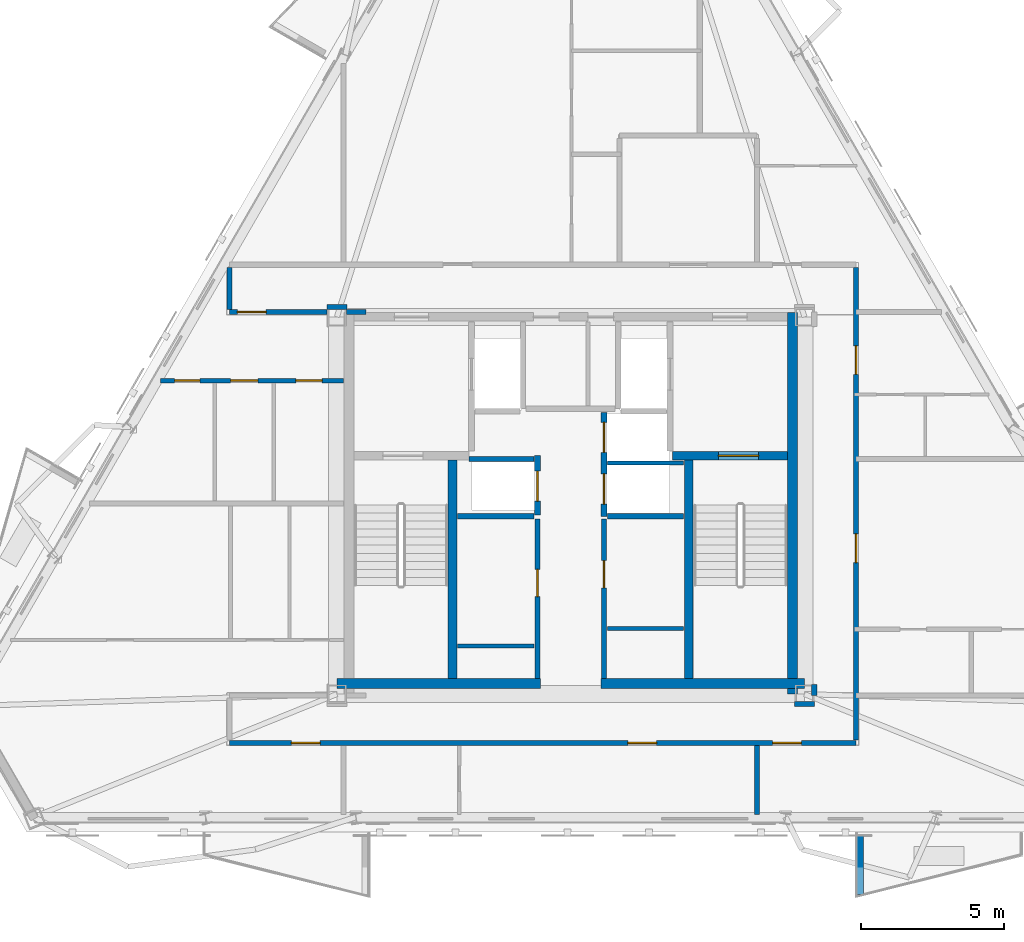
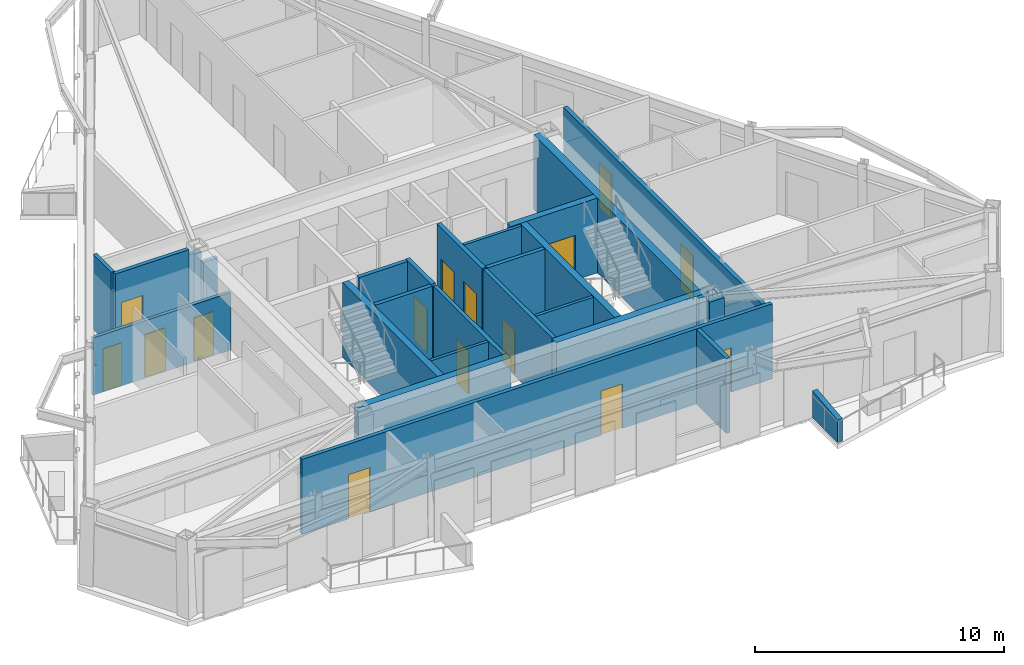
# One storey, part 3 of 9: 27 walls, 15 doors, 15 openings.
"""IFC4 building model written with IfcOpenShell, lengths in metres."""

from ifc_helpers import new_model, si_unit, direction, frame, frame_2d, origin, place, context, subcontext, project, spatial, polyline, rectangle, outline, extrude, material, layer, layer_set, type_object, element, fill, save


model = new_model("IFC4")

# Units and contexts
model_context = context("Model", 3, precision=1e-05, world=origin(), true_north=direction((0.0, 1.0)))
body_context = subcontext(model_context, "Body", "Model", "MODEL_VIEW")
ifc_project = project(units=[si_unit("LENGTHUNIT", "METRE"), si_unit("AREAUNIT", "SQUARE_METRE"), si_unit("VOLUMEUNIT", "CUBIC_METRE"), si_unit("PLANEANGLEUNIT", "RADIAN"), si_unit("MASSUNIT", "GRAM", prefix="KILO")], contexts=[model_context])

# Site, building, storey
site_placement = place(None, origin())
site = spatial("IfcSite", under=ifc_project, at=site_placement, CompositionType="ELEMENT")
building_placement = place(site_placement, origin())
building = spatial("IfcBuilding", under=site, at=building_placement, Name="Oramaril Tower", CompositionType="ELEMENT")
storey_placement = place(building_placement, frame((0.0, 0.0, 277.199951171875)))
storey = spatial("IfcBuildingStorey", under=building, at=storey_placement, Name="L73", CompositionType="ELEMENT", Elevation=277.199951171875)

# Walls
ifc_material_1 = material(Name="Concrete C40/50", Category="concrete")
ifc_layer_1 = layer(ifc_material_1, 0.22998046875)
ifc_layer_set_1 = layer_set([ifc_layer_1], Name="WT-PRP23")
wall_type_1 = type_object("IfcWallType", Name="WT-PRP23", PredefinedType="PARAPET", material=ifc_layer_set_1)
wall_1_placement = place(storey_placement, frame((47.59033203125, 6.05517578125, 0.0), z_axis=(0.0, 0.0, 1.0), x_axis=(0.0, -1.0, 0.0)))
element("IfcWall", 1, at=wall_1_placement, inside=storey, type_object=wall_type_1, Name="L73 Trapezoidal Balcony Frame Cheek L73-BAL-S2-L", PredefinedType="PARAPET", context=body_context, shape_type="SweptSolid", body=[
    extrude(outline(polyline([(0.0, 0.0), (2.0419921875, 0.0), (2.0419921875, 1.10009765625), (0.0, 1.320068359375), (0.0, 0.0)])), frame((0.0, 0.114990234375, 0.0), z_axis=(0.0, -1.0, 0.0), x_axis=(1.0, 0.0, 0.0)), (0.0, 0.0, 1.0), 0.22998046875),
])
ifc_material_2 = material(Name="Acoustic Gypsum Board Partition")
ifc_layer_2 = layer(ifc_material_2, 0.139892578125)
ifc_layer_set_2 = layer_set([ifc_layer_2], Name="WT-PT14")
wall_type_2 = type_object("IfcWallType", Name="WT-PT14", PredefinedType="PARTITIONING", material=ifc_layer_set_2)
for number, where, z_axis, x_axis, name in (
    (2, (33.56005859375, 12.679931640625, 0.0), (0.0, 0.0, 1.0), (1.0, 0.0, 0.0), "L73 Freed Shaft South Closure"),
    (3, (38.780029296875, 19.050048828125, 0.0), (0.0, 0.0, 1.0), (1.0, 0.0, 0.0), "L73 High-Rise Lift H2-H3 Divider"),
    (4, (38.780029296875, 13.280029296875, 0.0), (0.0, 0.0, 1.0), (1.0, 0.0, 0.0), "L73 Freed Shaft South Closure"),
):
    element("IfcWall", number, at=place(storey_placement, frame(where, z_axis=z_axis, x_axis=x_axis)), inside=storey, type_object=wall_type_2, Name=name, PredefinedType="PARTITIONING", context=body_context, shape_type="SweptSolid", body=[
        extrude(rectangle(XDim=2.659912109375, YDim=0.139892578125, at=frame_2d((1.330078125, 0.0))), origin(), (0.0, 0.0, 1.0), 3.679931640625),
    ])

# Wall, openings, doors
ifc_material_3 = material(Name="Acoustic Gypsum Board Partition")
ifc_layer_3 = layer(ifc_material_3, 0.159912109375)
ifc_layer_set_3 = layer_set([ifc_layer_3], Name="WT-PT16")
wall_type_3 = type_object("IfcWallType", Name="WT-PT16", PredefinedType="PARTITIONING", material=ifc_layer_set_3)
wall_2_placement = place(storey_placement, frame((23.201416015625, 21.929931640625, 0.0), z_axis=(0.0, 0.0, 1.0), x_axis=(1.0, 0.0, 0.0)))
wall_2 = element("IfcWall", 5, at=wall_2_placement, inside=storey, type_object=wall_type_3, Name="L73 Interior Partition PT-16", PredefinedType="PARTITIONING", context=body_context, shape_type="SweptSolid", body=[
    extrude(rectangle(XDim=6.384521484375, YDim=0.159912109375, at=frame_2d((3.1923828125, 0.0))), origin(), (0.0, 0.0, 1.0), 2.820068359375),
])
opening_1_placement = place(wall_2_placement, frame((0.4912109375, 0.0, 0.0)))
opening_1 = element("IfcOpeningElement", 6, at=opening_1_placement, cuts=wall_2, Name="Opening D-L73-12", PredefinedType="OPENING", context=body_context, shape_type="SweptSolid", body=[
    extrude(rectangle(XDim=0.8798828125, YDim=2.080078125, at=frame_2d((0.43994140625, 1.0400390625))), frame((0.0, 0.080078125, 0.0), z_axis=(0.0, -1.0, 0.0), x_axis=(1.0, 0.0, 0.0)), (0.0, 0.0, 1.0), 0.159912109375),
])
opening_2_placement = place(wall_2_placement, frame((2.441162109375, 0.0, 0.0)))
opening_2 = element("IfcOpeningElement", 7, at=opening_2_placement, cuts=wall_2, Name="Opening D-L73-13", PredefinedType="OPENING", context=body_context, shape_type="SweptSolid", body=[
    extrude(rectangle(XDim=0.949951171875, YDim=2.10009765625, at=frame_2d((0.47509765625, 1.050048828125))), frame((0.0, 0.080078125, 0.0), z_axis=(0.0, -1.0, 0.0), x_axis=(1.0, 0.0, 0.0)), (0.0, 0.0, 1.0), 0.159912109375),
])
opening_3_placement = place(wall_2_placement, frame((4.71484375, 0.0, 0.0)))
opening_3 = element("IfcOpeningElement", 8, at=opening_3_placement, cuts=wall_2, Name="Opening D-L73-14", PredefinedType="OPENING", context=body_context, shape_type="SweptSolid", body=[
    extrude(rectangle(XDim=0.919921875, YDim=2.1201171875, at=frame_2d((0.4599609375, 1.06005859375))), frame((0.0, 0.080078125, 0.0), z_axis=(0.0, -1.0, 0.0), x_axis=(1.0, 0.0, 0.0)), (0.0, 0.0, 1.0), 0.159912109375),
])
ifc_material_4 = material(Name="FSC Brazilian Freijo Hardwood", Category="wood")
door_type_1 = type_object("IfcDoorType", Name="DT-BATH", OperationType="NOTDEFINED", PredefinedType="DOOR", material=ifc_material_4)
door_1_placement = place(opening_1_placement, origin())
door_1 = element("IfcDoor", 9, at=door_1_placement, inside=storey, type_object=door_type_1, Name="L73 Flat L73-U4 Bathroom Door D-L73-12", OperationType="SINGLE_SWING_LEFT", OverallHeight=2.080078125, OverallWidth=0.8798828125, PredefinedType="DOOR", context=body_context, shape_type="SweptSolid", body=[
    extrude(rectangle(XDim=0.8798828125, YDim=2.080078125, at=frame_2d((0.43994140625, 1.0400390625))), frame((0.0, 0.02490234375, 0.0), z_axis=(0.0, -1.0, 0.0), x_axis=(1.0, 0.0, 0.0)), (0.0, 0.0, 1.0), 0.050048828125),
])
fill(opening_1, door_1)
ifc_material_5 = material(Name="FSC Brazilian Freijo Hardwood", Category="wood")
door_type_2 = type_object("IfcDoorType", Name="DT-BED", OperationType="NOTDEFINED", PredefinedType="DOOR", material=ifc_material_5)
door_2_placement = place(opening_3_placement, origin())
door_2 = element("IfcDoor", 10, at=door_2_placement, inside=storey, type_object=door_type_2, Name="L73 Flat L73-U4 Master Bedroom Door D-L73-14", OperationType="SINGLE_SWING_LEFT", OverallHeight=2.1201171875, OverallWidth=0.919921875, PredefinedType="DOOR", context=body_context, shape_type="SweptSolid", body=[
    extrude(rectangle(XDim=0.919921875, YDim=2.1201171875, at=frame_2d((0.4599609375, 1.06005859375))), frame((0.0, 0.02490234375, 0.0), z_axis=(0.0, -1.0, 0.0), x_axis=(1.0, 0.0, 0.0)), (0.0, 0.0, 1.0), 0.050048828125),
])
fill(opening_3, door_2)
ifc_material_6 = material(Name="FSC Brazilian Freijo Hardwood", Category="wood")
door_type_3 = type_object("IfcDoorType", Name="DT-STDY", OperationType="NOTDEFINED", PredefinedType="DOOR", material=ifc_material_6)
door_3_placement = place(opening_2_placement, origin())
door_3 = element("IfcDoor", 11, at=door_3_placement, inside=storey, type_object=door_type_3, Name="L73 Flat L73-U4 Kitchen Door D-L73-13", OperationType="SINGLE_SWING_RIGHT", OverallHeight=2.10009765625, OverallWidth=0.949951171875, PredefinedType="DOOR", context=body_context, shape_type="SweptSolid", body=[
    extrude(rectangle(XDim=0.949951171875, YDim=2.10009765625, at=frame_2d((0.47509765625, 1.050048828125))), frame((0.0, 0.02490234375, 0.0), z_axis=(0.0, -1.0, 0.0), x_axis=(1.0, 0.0, 0.0)), (0.0, 0.0, 1.0), 0.050048828125),
])
fill(opening_2, door_3)

# Walls
ifc_material_7 = material(Name="Autoclaved Cellular Concrete Block", Category="concrete")
ifc_layer_4 = layer(ifc_material_7, 0.179931640625)
ifc_layer_set_4 = layer_set([ifc_layer_4], Name="WT-PT18")
wall_type_4 = type_object("IfcWallType", Name="WT-PT18", PredefinedType="PARTITIONING", material=ifc_layer_set_4)
wall_3_placement = place(storey_placement, frame((33.949951171875, 19.199951171875, 0.0), z_axis=(0.0, 0.0, 1.0), x_axis=(1.0, 0.0, 0.0)))
element("IfcWall", 12, at=wall_3_placement, inside=storey, type_object=wall_type_4, Name="L73 High-Rise Lift H1 North Shaft Wall", PredefinedType="PARTITIONING", context=body_context, shape_type="SweptSolid", body=[
    extrude(rectangle(XDim=2.27001953125, YDim=0.179931640625, at=frame_2d((1.135009765625, 0.0))), origin(), (0.0, 0.0, 1.0), 3.679931640625),
])
wall_4_placement = place(storey_placement, frame((33.56005859375, 17.199951171875, 0.0), z_axis=(0.0, 0.0, 1.0), x_axis=(1.0, 0.0, 0.0)))
element("IfcWall", 13, at=wall_4_placement, inside=storey, type_object=wall_type_4, Name="L73 High-Rise Lift H1 South Wall", PredefinedType="PARTITIONING", context=body_context, shape_type="SweptSolid", body=[
    extrude(rectangle(XDim=2.659912109375, YDim=0.179931640625, at=frame_2d((1.330078125, 0.0))), origin(), (0.0, 0.0, 1.0), 3.679931640625),
])

# Wall, opening, door
wall_5_placement = place(storey_placement, frame((36.340087890625, 11.550048828125, 0.0), z_axis=(0.0, 0.0, 1.0), x_axis=(0.0, 1.0, 0.0)))
wall_5 = element("IfcWall", 14, at=wall_5_placement, inside=storey, type_object=wall_type_4, Name="L73 Freed Shaft Study East Wall", PredefinedType="PARTITIONING", context=body_context, shape_type="SweptSolid", body=[
    extrude(rectangle(XDim=5.550048828125, YDim=0.179931640625, at=frame_2d((2.77490234375, 0.0))), origin(), (0.0, 0.0, 1.0), 3.679931640625),
])
opening_4_placement = place(wall_5_placement, frame((2.85009765625, 0.0, 0.0)))
opening_4 = element("IfcOpeningElement", 15, at=opening_4_placement, cuts=wall_5, Name="Opening D-L73-FL1", PredefinedType="OPENING", context=body_context, shape_type="SweptSolid", body=[
    extrude(rectangle(XDim=0.949951171875, YDim=2.10009765625, at=frame_2d((0.47509765625, 1.050048828125))), frame((0.0, 0.08984375, 0.0), z_axis=(0.0, -1.0, 0.0), x_axis=(1.0, 0.0, 0.0)), (0.0, 0.0, 1.0), 0.179931640625),
])
door_4_placement = place(opening_4_placement, origin())
door_4 = element("IfcDoor", 16, at=door_4_placement, inside=storey, type_object=door_type_3, Name="L73 L73 Residents Library Study Door", OperationType="SINGLE_SWING_LEFT", OverallHeight=2.10009765625, OverallWidth=0.949951171875, PredefinedType="DOOR", context=body_context, shape_type="SweptSolid", body=[
    extrude(rectangle(XDim=0.949951171875, YDim=2.10009765625, at=frame_2d((0.47509765625, 1.050048828125))), frame((0.0, 0.02490234375, 0.0), z_axis=(0.0, -1.0, 0.0), x_axis=(1.0, 0.0, 0.0)), (0.0, 0.0, 1.0), 0.050048828125),
])
fill(opening_4, door_4)

# Wall
wall_6_placement = place(storey_placement, frame((38.780029296875, 17.199951171875, 0.0), z_axis=(0.0, 0.0, 1.0), x_axis=(1.0, 0.0, 0.0)))
element("IfcWall", 17, at=wall_6_placement, inside=storey, type_object=wall_type_4, Name="L73 High-Rise Lift H2 South Wall", PredefinedType="PARTITIONING", context=body_context, shape_type="SweptSolid", body=[
    extrude(rectangle(XDim=2.659912109375, YDim=0.179931640625, at=frame_2d((1.330078125, 0.0))), origin(), (0.0, 0.0, 1.0), 3.679931640625),
])

# Wall, opening, door
wall_7_placement = place(storey_placement, frame((38.659912109375, 11.550048828125, 0.0), z_axis=(0.0, 0.0, 1.0), x_axis=(0.0, 1.0, 0.0)))
wall_7 = element("IfcWall", 18, at=wall_7_placement, inside=storey, type_object=wall_type_4, Name="L73 Freed Shaft Alcove West Wall", PredefinedType="PARTITIONING", context=body_context, shape_type="SweptSolid", body=[
    extrude(rectangle(XDim=5.550048828125, YDim=0.179931640625, at=frame_2d((2.77490234375, 0.0))), origin(), (0.0, 0.0, 1.0), 3.679931640625),
])
opening_5_placement = place(wall_7_placement, frame((3.14990234375, 0.0, 0.0)))
opening_5 = element("IfcOpeningElement", 19, at=opening_5_placement, cuts=wall_7, Name="Opening D-L73-FM1", PredefinedType="OPENING", context=body_context, shape_type="SweptSolid", body=[
    extrude(rectangle(XDim=0.949951171875, YDim=2.10009765625, at=frame_2d((0.47509765625, 1.050048828125))), frame((0.0, 0.08984375, 0.0), z_axis=(0.0, -1.0, 0.0), x_axis=(1.0, 0.0, 0.0)), (0.0, 0.0, 1.0), 0.179931640625),
])
door_5_placement = place(opening_5_placement, origin())
door_5 = element("IfcDoor", 20, at=door_5_placement, inside=storey, type_object=door_type_3, Name="L73 L73 Sky Consulting Office Door", OperationType="SINGLE_SWING_RIGHT", OverallHeight=2.10009765625, OverallWidth=0.949951171875, PredefinedType="DOOR", context=body_context, shape_type="SweptSolid", body=[
    extrude(rectangle(XDim=0.949951171875, YDim=2.10009765625, at=frame_2d((0.47509765625, 1.050048828125))), frame((0.0, 0.02490234375, 0.0), z_axis=(0.0, -1.0, 0.0), x_axis=(1.0, 0.0, 0.0)), (0.0, 0.0, 1.0), 0.050048828125),
])
fill(opening_5, door_5)

# Wall, openings, doors
wall_8_placement = place(storey_placement, frame((25.60009765625, 9.300048828125, 0.0), z_axis=(0.0, 0.0, 1.0), x_axis=(1.0, 0.0, 0.0)))
wall_8 = element("IfcWall", 21, at=wall_8_placement, inside=storey, type_object=wall_type_4, Name="L73 Interior Partition PT-18", PredefinedType="PARTITIONING", context=body_context, shape_type="SweptSolid", body=[
    extrude(rectangle(XDim=21.849853515625, YDim=0.179931640625, at=frame_2d((10.9248046875, 0.0))), origin(), (0.0, 0.0, 1.0), 3.679931640625),
])
opening_6_placement = place(wall_8_placement, frame((2.160400390625, 0.0, 0.0)))
opening_6 = element("IfcOpeningElement", 22, at=opening_6_placement, cuts=wall_8, Name="Opening D-L73-01", PredefinedType="OPENING", context=body_context, shape_type="SweptSolid", body=[
    extrude(rectangle(XDim=1.0, YDim=2.179931640625, at=frame_2d((0.5, 1.08984375))), frame((0.0, 0.08984375, 0.0), z_axis=(0.0, -1.0, 0.0), x_axis=(1.0, 0.0, 0.0)), (0.0, 0.0, 1.0), 0.179931640625),
])
opening_7_placement = place(wall_8_placement, frame((13.89404296875, 0.0, 0.0)))
opening_7 = element("IfcOpeningElement", 23, at=opening_7_placement, cuts=wall_8, Name="Opening D-L73-02", PredefinedType="OPENING", context=body_context, shape_type="SweptSolid", body=[
    extrude(rectangle(XDim=1.0, YDim=2.179931640625, at=frame_2d((0.5, 1.08984375))), frame((0.0, 0.08984375, 0.0), z_axis=(0.0, -1.0, 0.0), x_axis=(1.0, 0.0, 0.0)), (0.0, 0.0, 1.0), 0.179931640625),
])
opening_8_placement = place(wall_8_placement, frame((18.9404296875, 0.0, 0.0)))
opening_8 = element("IfcOpeningElement", 24, at=opening_8_placement, cuts=wall_8, Name="Opening D-L73-03", PredefinedType="OPENING", context=body_context, shape_type="SweptSolid", body=[
    extrude(rectangle(XDim=1.0, YDim=2.179931640625, at=frame_2d((0.5, 1.08984375))), frame((0.0, 0.08984375, 0.0), z_axis=(0.0, -1.0, 0.0), x_axis=(1.0, 0.0, 0.0)), (0.0, 0.0, 1.0), 0.179931640625),
])
ifc_material_8 = material(Name="FSC Brazilian Freijo Hardwood", Category="wood")
door_type_4 = type_object("IfcDoorType", Name="DT-APT", OperationType="NOTDEFINED", PredefinedType="DOOR", material=ifc_material_8)
door_6_placement = place(opening_6_placement, origin())
door_6 = element("IfcDoor", 25, at=door_6_placement, inside=storey, type_object=door_type_4, Name="L73 Flat L73-U3 Penthouse Living and Dining Room Door D-L73-01", OperationType="SINGLE_SWING_RIGHT", OverallHeight=2.179931640625, OverallWidth=1.0, PredefinedType="DOOR", context=body_context, shape_type="SweptSolid", body=[
    extrude(rectangle(XDim=1.0, YDim=2.179931640625, at=frame_2d((0.5, 1.08984375))), frame((0.0, 0.02490234375, 0.0), z_axis=(0.0, -1.0, 0.0), x_axis=(1.0, 0.0, 0.0)), (0.0, 0.0, 1.0), 0.050048828125),
])
fill(opening_6, door_6)
door_7_placement = place(opening_7_placement, origin())
door_7 = element("IfcDoor", 26, at=door_7_placement, inside=storey, type_object=door_type_4, Name="L73 Flat L73-U1 Kitchen and Studio Apartment Door D-L73-02", OperationType="SINGLE_SWING_LEFT", OverallHeight=2.179931640625, OverallWidth=1.0, PredefinedType="DOOR", context=body_context, shape_type="SweptSolid", body=[
    extrude(rectangle(XDim=1.0, YDim=2.179931640625, at=frame_2d((0.5, 1.08984375))), frame((0.0, 0.02490234375, 0.0), z_axis=(0.0, -1.0, 0.0), x_axis=(1.0, 0.0, 0.0)), (0.0, 0.0, 1.0), 0.050048828125),
])
fill(opening_7, door_7)
door_8_placement = place(opening_8_placement, origin())
door_8 = element("IfcDoor", 27, at=door_8_placement, inside=storey, type_object=door_type_4, Name="L73 Flat L73-U2 Studio Apartment Door D-L73-03", OperationType="SINGLE_SWING_RIGHT", OverallHeight=2.179931640625, OverallWidth=1.0, PredefinedType="DOOR", context=body_context, shape_type="SweptSolid", body=[
    extrude(rectangle(XDim=1.0, YDim=2.179931640625, at=frame_2d((0.5, 1.08984375))), frame((0.0, 0.02490234375, 0.0), z_axis=(0.0, -1.0, 0.0), x_axis=(1.0, 0.0, 0.0)), (0.0, 0.0, 1.0), 0.050048828125),
])
fill(opening_8, door_8)

# Wall
wall_9_placement = place(storey_placement, frame((45.304931640625, 10.64990234375, 0.0), z_axis=(0.0, 0.0, 1.0), x_axis=(1.0, 0.0, 0.0)))
element("IfcWall", 28, at=wall_9_placement, inside=storey, type_object=wall_type_4, Name="L73 Interior Partition PT-18", PredefinedType="PARTITIONING", context=body_context, shape_type="SweptSolid", body=[
    extrude(rectangle(XDim=0.690185546875, YDim=0.179931640625, at=frame_2d((0.34521484375, 0.0))), origin(), (0.0, 0.0, 1.0), 3.679931640625),
])

# Wall, opening, door
wall_10_placement = place(storey_placement, frame((25.60009765625, 24.320068359375, 0.0), z_axis=(0.0, 0.0, 1.0), x_axis=(1.0, 0.0, 0.0)))
wall_10 = element("IfcWall", 29, at=wall_10_placement, inside=storey, type_object=wall_type_4, Name="L73 Interior Partition PT-18", PredefinedType="PARTITIONING", context=body_context, shape_type="SweptSolid", body=[
    extrude(rectangle(XDim=3.409912109375, YDim=0.179931640625, at=frame_2d((1.705078125, 0.0))), origin(), (0.0, 0.0, 1.0), 3.679931640625),
])
opening_9_placement = place(wall_10_placement, frame((0.28173828125, 0.0, 0.0)))
opening_9 = element("IfcOpeningElement", 30, at=opening_9_placement, cuts=wall_10, Name="Opening D-L73-15", PredefinedType="OPENING", context=body_context, shape_type="SweptSolid", body=[
    extrude(rectangle(XDim=1.0, YDim=2.179931640625, at=frame_2d((0.5, 1.08984375))), frame((0.0, 0.08984375, 0.0), z_axis=(0.0, -1.0, 0.0), x_axis=(1.0, 0.0, 0.0)), (0.0, 0.0, 1.0), 0.179931640625),
])
door_9_placement = place(opening_9_placement, origin())
door_9 = element("IfcDoor", 31, at=door_9_placement, inside=storey, type_object=door_type_4, Name="L73 Flat L73-U4 Living and Dining Room Door D-L73-15", OperationType="SINGLE_SWING_RIGHT", OverallHeight=2.179931640625, OverallWidth=1.0, PredefinedType="DOOR", context=body_context, shape_type="SweptSolid", body=[
    extrude(rectangle(XDim=1.0, YDim=2.179931640625, at=frame_2d((0.5, 1.08984375))), frame((0.0, 0.02490234375, 0.0), z_axis=(0.0, -1.0, 0.0), x_axis=(1.0, 0.0, 0.0)), (0.0, 0.0, 1.0), 0.050048828125),
])
fill(opening_9, door_9)

# Walls
wall_11_placement = place(storey_placement, frame((29.68994140625, 24.320068359375, 0.0), z_axis=(0.0, 0.0, 1.0), x_axis=(1.0, 0.0, 0.0)))
element("IfcWall", 32, at=wall_11_placement, inside=storey, type_object=wall_type_4, Name="L73 Interior Partition PT-18", PredefinedType="PARTITIONING", context=body_context, shape_type="SweptSolid", body=[
    extrude(rectangle(XDim=0.6650390625, YDim=0.179931640625, at=frame_2d((0.33251953125, 0.0))), origin(), (0.0, 0.0, 1.0), 2.820068359375),
])
wall_12_placement = place(storey_placement, frame((29.0048828125, 24.5, 0.0), z_axis=(0.0, 0.0, 1.0), x_axis=(1.0, 0.0, 0.0)))
element("IfcWall", 33, at=wall_12_placement, inside=storey, type_object=wall_type_4, Name="L73 Interior Partition PT-18", PredefinedType="PARTITIONING", context=body_context, shape_type="SweptSolid", body=[
    extrude(rectangle(XDim=0.690185546875, YDim=0.179931640625, at=frame_2d((0.34521484375, 0.0))), origin(), (0.0, 0.0, 1.0), 3.26611328125),
])
wall_13_placement = place(storey_placement, frame((25.60009765625, 24.4140625, 0.0), z_axis=(0.0, 0.0, 1.0), x_axis=(0.0, 1.0, 0.0)))
element("IfcWall", 34, at=wall_13_placement, inside=storey, type_object=wall_type_4, Name="L73 Interior Partition PT-18", PredefinedType="PARTITIONING", context=body_context, shape_type="SweptSolid", body=[
    extrude(rectangle(XDim=1.4619140625, YDim=0.179931640625, at=frame_2d((0.73095703125, 0.0))), origin(), (0.0, 0.0, 1.0), 3.679931640625),
])
wall_14_placement = place(storey_placement, frame((44.0, 6.802001953125, 0.0), z_axis=(0.0, 0.0, 1.0), x_axis=(0.0, 1.0, 0.0)))
element("IfcWall", 35, at=wall_14_placement, inside=storey, type_object=wall_type_4, Name="L73 Interior Partition PT-18", PredefinedType="PARTITIONING", context=body_context, shape_type="SweptSolid", body=[
    extrude(rectangle(XDim=2.404052734375, YDim=0.179931640625, at=frame_2d((1.2021484375, 0.0))), origin(), (0.0, 0.0, 1.0), 3.679931640625),
])
wall_15_placement = place(storey_placement, frame((45.989990234375, 10.949951171875, 0.0), z_axis=(0.0, 0.0, 1.0), x_axis=(0.0, 1.0, 0.0)))
element("IfcWall", 36, at=wall_15_placement, inside=storey, type_object=wall_type_4, Name="L73 Interior Partition PT-18", PredefinedType="PARTITIONING", context=body_context, shape_type="SweptSolid", body=[
    extrude(rectangle(XDim=0.39013671875, YDim=0.179931640625, at=frame_2d((0.195068359375, 0.0))), origin(), (0.0, 0.0, 1.0), 3.679931640625),
])

# Wall, openings, doors
wall_16_placement = place(storey_placement, frame((47.449951171875, 9.39404296875, 0.0), z_axis=(0.0, 0.0, 1.0), x_axis=(0.0, 1.0, 0.0)))
wall_16 = element("IfcWall", 37, at=wall_16_placement, inside=storey, type_object=wall_type_4, Name="L73 Interior Partition PT-18", PredefinedType="PARTITIONING", context=body_context, shape_type="SweptSolid", body=[
    extrude(rectangle(XDim=16.48193359375, YDim=0.179931640625, at=frame_2d((8.240966796875, 0.0))), origin(), (0.0, 0.0, 1.0), 3.26611328125),
])
opening_10_placement = place(wall_16_placement, frame((6.187744140625, 0.0, 0.0)))
opening_10 = element("IfcOpeningElement", 38, at=opening_10_placement, cuts=wall_16, Name="Opening D-L73-27", PredefinedType="OPENING", context=body_context, shape_type="SweptSolid", body=[
    extrude(rectangle(XDim=1.0, YDim=2.179931640625, at=frame_2d((0.5, 1.08984375))), frame((0.0, 0.08984375, 0.0), z_axis=(0.0, -1.0, 0.0), x_axis=(1.0, 0.0, 0.0)), (0.0, 0.0, 1.0), 0.179931640625),
])
opening_11_placement = place(wall_16_placement, frame((12.749267578125, 0.0, 0.0)))
opening_11 = element("IfcOpeningElement", 39, at=opening_11_placement, cuts=wall_16, Name="Opening D-L73-28", PredefinedType="OPENING", context=body_context, shape_type="SweptSolid", body=[
    extrude(rectangle(XDim=1.0, YDim=2.179931640625, at=frame_2d((0.5, 1.08984375))), frame((0.0, 0.08984375, 0.0), z_axis=(0.0, -1.0, 0.0), x_axis=(1.0, 0.0, 0.0)), (0.0, 0.0, 1.0), 0.179931640625),
])
door_10_placement = place(opening_10_placement, origin())
door_10 = element("IfcDoor", 40, at=door_10_placement, inside=storey, type_object=door_type_4, Name="L73 Flat L73-U5 Living and Dining Room Door D-L73-27", OperationType="SINGLE_SWING_RIGHT", OverallHeight=2.179931640625, OverallWidth=1.0, PredefinedType="DOOR", context=body_context, shape_type="SweptSolid", body=[
    extrude(rectangle(XDim=1.0, YDim=2.179931640625, at=frame_2d((0.5, 1.08984375))), frame((0.0, 0.02490234375, 0.0), z_axis=(0.0, -1.0, 0.0), x_axis=(1.0, 0.0, 0.0)), (0.0, 0.0, 1.0), 0.050048828125),
])
fill(opening_10, door_10)
door_11_placement = place(opening_11_placement, origin())
door_11 = element("IfcDoor", 41, at=door_11_placement, inside=storey, type_object=door_type_4, Name="L73 Flat L73-U6 Studio Apartment Door D-L73-28", OperationType="SINGLE_SWING_LEFT", OverallHeight=2.179931640625, OverallWidth=1.0, PredefinedType="DOOR", context=body_context, shape_type="SweptSolid", body=[
    extrude(rectangle(XDim=1.0, YDim=2.179931640625, at=frame_2d((0.5, 1.08984375))), frame((0.0, 0.02490234375, 0.0), z_axis=(0.0, -1.0, 0.0), x_axis=(1.0, 0.0, 0.0)), (0.0, 0.0, 1.0), 0.050048828125),
])
fill(opening_11, door_11)

# Wall, opening, door
ifc_material_9 = material(Name="Concrete C50/60", Category="concrete")
ifc_layer_5 = layer(ifc_material_9, 0.300048828125)
ifc_layer_set_5 = layer_set([ifc_layer_5], Name="WT-SH30")
wall_type_5 = type_object("IfcWallType", Name="WT-SH30", PredefinedType="SHEAR", material=ifc_layer_set_5)
wall_17_placement = place(storey_placement, frame((41.050048828125, 19.31005859375, 0.0), z_axis=(0.0, 0.0, 1.0), x_axis=(1.0, 0.0, 0.0)))
wall_17 = element("IfcWall", 42, at=wall_17_placement, inside=storey, type_object=wall_type_5, Name="L73 Core Shear Wall CW-ST2N", PredefinedType="SHEAR", context=body_context, shape_type="SweptSolid", body=[
    extrude(rectangle(XDim=4.010009765625, YDim=0.300048828125, at=frame_2d((2.0048828125, 0.0))), origin(), (0.0, 0.0, 1.0), 3.679931640625),
])
opening_12_placement = place(wall_17_placement, frame((1.60009765625, 0.0, 0.0)))
opening_12 = element("IfcOpeningElement", 43, at=opening_12_placement, cuts=wall_17, Name="Opening D-L73-ST2", PredefinedType="OPENING", context=body_context, shape_type="SweptSolid", body=[
    extrude(rectangle(XDim=1.39990234375, YDim=2.199951171875, at=frame_2d((0.699951171875, 1.10009765625))), frame((0.0, 0.14990234375, 0.0), z_axis=(0.0, -1.0, 0.0), x_axis=(1.0, 0.0, 0.0)), (0.0, 0.0, 1.0), 0.300048828125),
])
ifc_material_10 = material(Name="Painted Galvanised Steel", Category="steel")
door_type_5 = type_object("IfcDoorType", Name="DT-ST", OperationType="NOTDEFINED", PredefinedType="DOOR", material=ifc_material_10)
door_12_placement = place(opening_12_placement, origin())
door_12 = element("IfcDoor", 44, at=door_12_placement, inside=storey, type_object=door_type_5, Name="L73 Protected Stair ST-2 Fire Door", OperationType="SINGLE_SWING_RIGHT", OverallHeight=2.199951171875, OverallWidth=1.39990234375, PredefinedType="DOOR", context=body_context, shape_type="SweptSolid", body=[
    extrude(rectangle(XDim=1.39990234375, YDim=2.199951171875, at=frame_2d((0.699951171875, 1.10009765625))), frame((0.0, 0.02490234375, 0.0), z_axis=(0.0, -1.0, 0.0), x_axis=(1.0, 0.0, 0.0)), (0.0, 0.0, 1.0), 0.050048828125),
])
fill(opening_12, door_12)

# Walls
for number, where, z_axis, x_axis, name in (
    (45, (33.3798828125, 11.5400390625, 0.0), (0.0, 0.0, 1.0), (0.0, 1.0, 0.0), "L73 Core Shear Wall CW-ST1E"),
    (46, (41.6201171875, 11.5400390625, 0.0), (0.0, 0.0, 1.0), (0.0, 1.0, 0.0), "L73 Core Shear Wall CW-ST2W"),
):
    element("IfcWall", number, at=place(storey_placement, frame(where, z_axis=z_axis, x_axis=x_axis)), inside=storey, type_object=wall_type_5, Name=name, PredefinedType="SHEAR", context=body_context, shape_type="SweptSolid", body=[
        extrude(rectangle(XDim=7.619873046875, YDim=0.300048828125, at=frame_2d((3.81005859375, 0.0))), origin(), (0.0, 0.0, 1.0), 3.679931640625),
    ])
ifc_material_11 = material(Name="Concrete C50/60", Category="concrete")
ifc_layer_6 = layer(ifc_material_11, 0.35009765625)
ifc_layer_set_6 = layer_set([ifc_layer_6], Name="WT-SH35")
wall_type_6 = type_object("IfcWallType", Name="WT-SH35", PredefinedType="SHEAR", material=ifc_layer_set_6)
wall_18_placement = place(storey_placement, frame((45.235107421875, 11.0, 0.0), z_axis=(0.0, 0.0, 1.0), x_axis=(0.0, 1.0, 0.0)))
element("IfcWall", 47, at=wall_18_placement, inside=storey, type_object=wall_type_6, Name="L73 Core Shear Wall CW-E", PredefinedType="SHEAR", context=body_context, shape_type="SweptSolid", body=[
    extrude(rectangle(XDim=13.300048828125, YDim=0.35009765625, at=frame_2d((6.64990234375, 0.0))), origin(), (0.0, 0.0, 1.0), 3.679931640625),
])
for number, where, z_axis, x_axis, name in (
    (48, (29.35009765625, 11.364990234375, 0.0), (0.0, 0.0, 1.0), (1.0, 0.0, 0.0), "L73 Core Shear Wall CW-SW"),
    (49, (38.550048828125, 11.364990234375, 0.0), (0.0, 0.0, 1.0), (1.0, 0.0, 0.0), "L73 Core Shear Wall CW-SE"),
):
    element("IfcWall", number, at=place(storey_placement, frame(where, z_axis=z_axis, x_axis=x_axis)), inside=storey, type_object=wall_type_6, Name=name, PredefinedType="SHEAR", context=body_context, shape_type="SweptSolid", body=[
        extrude(rectangle(XDim=7.099853515625, YDim=0.35009765625, at=frame_2d((3.5498046875, 0.0))), origin(), (0.0, 0.0, 1.0), 3.679931640625),
    ])

# Wall, opening, door
ifc_material_12 = material(Name="Autoclaved Cellular Concrete Block", Category="concrete")
ifc_layer_7 = layer(ifc_material_12, 0.199951171875)
ifc_layer_set_7 = layer_set([ifc_layer_7], Name="WT-SHF20")
wall_type_7 = type_object("IfcWallType", Name="WT-SHF20", PredefinedType="PARTITIONING", material=ifc_layer_set_7)
wall_19_placement = place(storey_placement, frame((36.340087890625, 17.25, 0.0), z_axis=(0.0, 0.0, 1.0), x_axis=(0.0, 1.0, 0.0)))
wall_19 = element("IfcWall", 50, at=wall_19_placement, inside=storey, type_object=wall_type_7, Name="L73 High-Rise Lift H1 Front Wall", PredefinedType="PARTITIONING", context=body_context, shape_type="SweptSolid", body=[
    extrude(rectangle(XDim=2.070068359375, YDim=0.199951171875, at=frame_2d((1.03515625, 0.0))), origin(), (0.0, 0.0, 1.0), 3.679931640625),
])
opening_13_placement = place(wall_19_placement, frame((0.47509765625, 0.0, 0.0)))
opening_13 = element("IfcOpeningElement", 51, at=opening_13_placement, cuts=wall_19, Name="Opening LD-L73-LP-H1", PredefinedType="OPENING", context=body_context, shape_type="SweptSolid", body=[
    extrude(rectangle(XDim=1.050048828125, YDim=2.14990234375, at=frame_2d((0.52490234375, 1.074951171875))), frame((0.0, 0.10009765625, 0.0), z_axis=(0.0, -1.0, 0.0), x_axis=(1.0, 0.0, 0.0)), (0.0, 0.0, 1.0), 0.199951171875),
])
ifc_material_13 = material(Name="Stainless Steel 316L", Category="steel")
door_type_6 = type_object("IfcDoorType", Name="DT-LD2", OperationType="NOTDEFINED", PredefinedType="DOOR", material=ifc_material_13)
door_13_placement = place(opening_13_placement, origin())
door_13 = element("IfcDoor", 52, at=door_13_placement, inside=storey, type_object=door_type_6, Name="L73 Lift LP-H1 Sliding Landing Door", OperationType="SLIDING_TO_LEFT", OverallHeight=2.14990234375, OverallWidth=1.050048828125, PredefinedType="DOOR", context=body_context, shape_type="SweptSolid", body=[
    extrude(rectangle(XDim=1.050048828125, YDim=2.14990234375, at=frame_2d((0.52490234375, 1.074951171875))), frame((0.0, 0.02490234375, 0.0), z_axis=(0.0, -1.0, 0.0), x_axis=(1.0, 0.0, 0.0)), (0.0, 0.0, 1.0), 0.050048828125),
])
fill(opening_13, door_13)

# Wall, openings, doors
wall_20_placement = place(storey_placement, frame((38.659912109375, 17.199951171875, 0.0), z_axis=(0.0, 0.0, 1.0), x_axis=(0.0, 1.0, 0.0)))
wall_20 = element("IfcWall", 53, at=wall_20_placement, inside=storey, type_object=wall_type_7, Name="L73 High-Rise Lift H2-H3 Front Wall", PredefinedType="PARTITIONING", context=body_context, shape_type="SweptSolid", body=[
    extrude(rectangle(XDim=3.6201171875, YDim=0.199951171875, at=frame_2d((1.81005859375, 0.0))), origin(), (0.0, 0.0, 1.0), 3.679931640625),
])
opening_14_placement = place(wall_20_placement, frame((0.425048828125, 0.0, 0.0)))
opening_14 = element("IfcOpeningElement", 54, at=opening_14_placement, cuts=wall_20, Name="Opening LD-L73-LP-H2", PredefinedType="OPENING", context=body_context, shape_type="SweptSolid", body=[
    extrude(rectangle(XDim=1.050048828125, YDim=2.14990234375, at=frame_2d((0.52490234375, 1.074951171875))), frame((0.0, 0.10009765625, 0.0), z_axis=(0.0, -1.0, 0.0), x_axis=(1.0, 0.0, 0.0)), (0.0, 0.0, 1.0), 0.199951171875),
])
opening_15_placement = place(wall_20_placement, frame((2.22509765625, 0.0, 0.0)))
opening_15 = element("IfcOpeningElement", 55, at=opening_15_placement, cuts=wall_20, Name="Opening LD-L73-LP-H3", PredefinedType="OPENING", context=body_context, shape_type="SweptSolid", body=[
    extrude(rectangle(XDim=1.050048828125, YDim=2.14990234375, at=frame_2d((0.52490234375, 1.074951171875))), frame((0.0, 0.10009765625, 0.0), z_axis=(0.0, -1.0, 0.0), x_axis=(1.0, 0.0, 0.0)), (0.0, 0.0, 1.0), 0.199951171875),
])
door_14_placement = place(opening_14_placement, origin())
door_14 = element("IfcDoor", 56, at=door_14_placement, inside=storey, type_object=door_type_6, Name="L73 Lift LP-H2 Sliding Landing Door", OperationType="SLIDING_TO_RIGHT", OverallHeight=2.14990234375, OverallWidth=1.050048828125, PredefinedType="DOOR", context=body_context, shape_type="SweptSolid", body=[
    extrude(rectangle(XDim=1.050048828125, YDim=2.14990234375, at=frame_2d((0.52490234375, 1.074951171875))), frame((0.0, 0.02490234375, 0.0), z_axis=(0.0, -1.0, 0.0), x_axis=(1.0, 0.0, 0.0)), (0.0, 0.0, 1.0), 0.050048828125),
])
fill(opening_14, door_14)
door_15_placement = place(opening_15_placement, origin())
door_15 = element("IfcDoor", 57, at=door_15_placement, inside=storey, type_object=door_type_6, Name="L73 Lift LP-H3 Sliding Landing Door", OperationType="SLIDING_TO_LEFT", OverallHeight=2.14990234375, OverallWidth=1.050048828125, PredefinedType="DOOR", context=body_context, shape_type="SweptSolid", body=[
    extrude(rectangle(XDim=1.050048828125, YDim=2.14990234375, at=frame_2d((0.52490234375, 1.074951171875))), frame((0.0, 0.02490234375, 0.0), z_axis=(0.0, -1.0, 0.0), x_axis=(1.0, 0.0, 0.0)), (0.0, 0.0, 1.0), 0.050048828125),
])
fill(opening_15, door_15)

save(model, "model.ifc")
